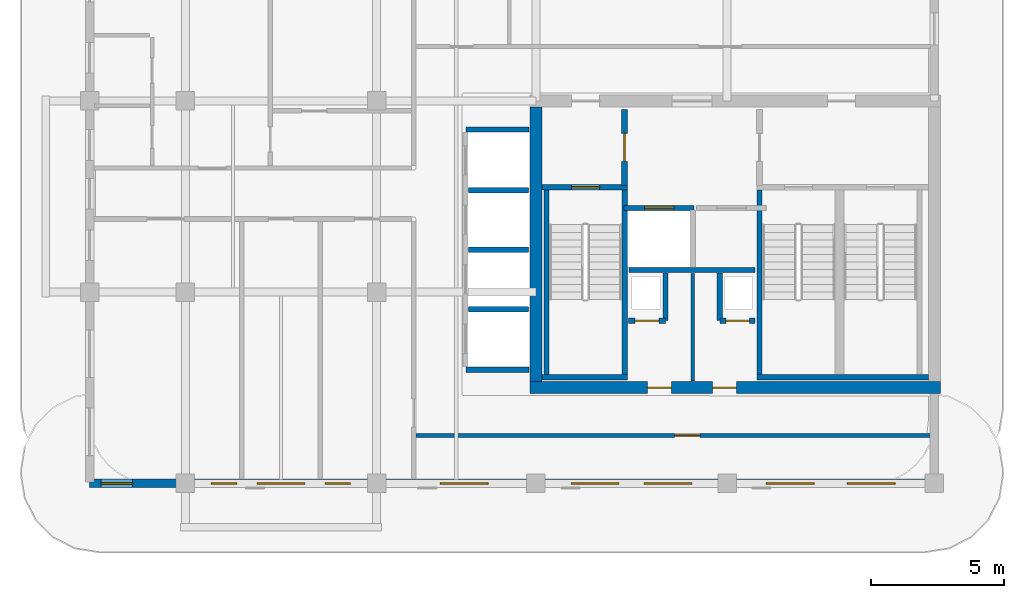
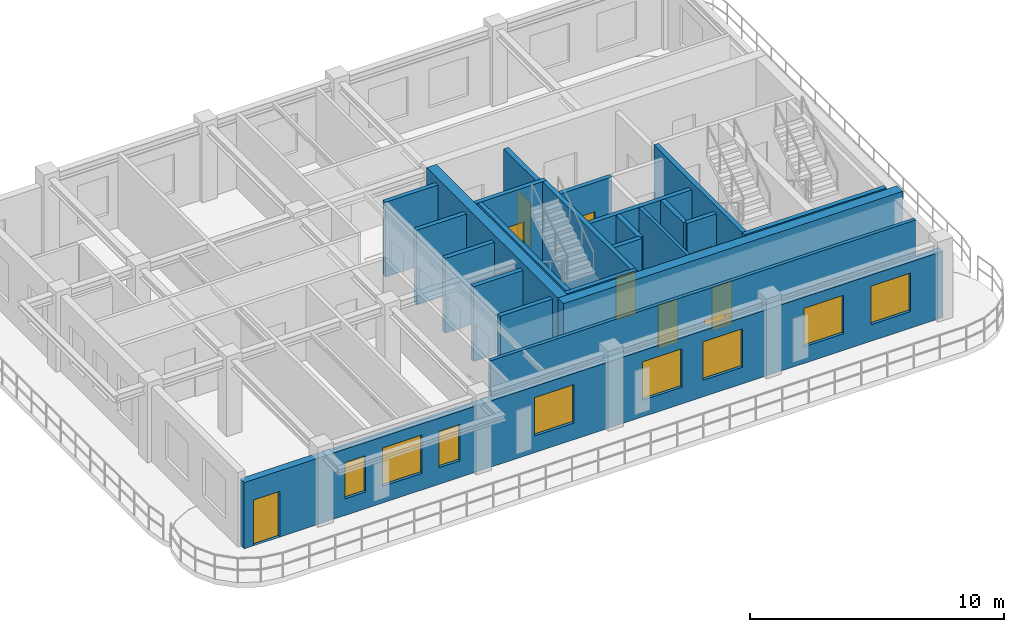
# One storey, part 3 of 7: 23 walls, 9 doors, 8 windows, 17 openings.
"""IFC4 building model written with IfcOpenShell, lengths in metres."""

from ifc_helpers import new_model, si_unit, derived_unit, direction, frame, frame_2d, origin, place, context, subcontext, project, spatial, rectangle, extrude, source, transform, mapped, material, layer, layer_set, type_object, type_shapes, element, fill, save


model = new_model("IFC4")

# Units and contexts
model_context = context("Model", 3, precision=1e-05, world=origin(), true_north=direction((0.0, 1.0)))
body_context = subcontext(model_context, "Body", "Model", "MODEL_VIEW")
ifc_project = project(units=[si_unit("LENGTHUNIT", "METRE"), si_unit("AREAUNIT", "SQUARE_METRE"), si_unit("VOLUMEUNIT", "CUBIC_METRE"), si_unit("PLANEANGLEUNIT", "RADIAN"), si_unit("MASSUNIT", "GRAM", prefix="KILO"), si_unit("THERMODYNAMICTEMPERATUREUNIT", "KELVIN"), si_unit("POWERUNIT", "WATT"), derived_unit("THERMALTRANSMITTANCEUNIT", [(si_unit("POWERUNIT", "WATT"), 1), (si_unit("AREAUNIT", "SQUARE_METRE"), -1), (si_unit("THERMODYNAMICTEMPERATUREUNIT", "KELVIN"), -1)])], contexts=[model_context])

# Site, building, storey
site_placement = place(None, origin())
site = spatial("IfcSite", under=ifc_project, at=site_placement, CompositionType="ELEMENT")
building_placement = place(site_placement, origin())
building = spatial("IfcBuilding", under=site, at=building_placement, Name="Zahravan Archway Hotel and Residences", CompositionType="ELEMENT")
storey_placement = place(building_placement, frame((0.0, 0.0, 278.89990234375)))
storey = spatial("IfcBuildingStorey", under=building, at=storey_placement, Name="L70", CompositionType="ELEMENT", Elevation=278.89990234375)

# Wall, openings, doors
ifc_material_1 = material(Name="Concrete C50/60", Category="concrete")
ifc_layer_1 = layer(ifc_material_1, 0.449951171875, Name="Concrete C50/60", Category="concrete")
ifc_layer_set_1 = layer_set([ifc_layer_1], Name="Concrete C50/60")
wall_type_1 = type_object("IfcWallType", Name="CW-CORE-450", PredefinedType="SHEAR", material=ifc_layer_set_1)
wall_1_placement = place(storey_placement, frame((34.574951171875, 3.60009765625, 0.0), z_axis=(0.0, 0.0, 1.0), x_axis=(1.0, 0.0, 0.0)))
wall_1 = element("IfcWall", 1, at=wall_1_placement, inside=storey, type_object=wall_type_1, Name="L70 Core A Shear S Wall 450 mm", PredefinedType="SHEAR", context=body_context, shape_type="SweptSolid", body=[
    extrude(rectangle(XDim=15.449951171875, YDim=0.449951171875, at=frame_2d((7.72509765625, 0.0))), origin(), (0.0, 0.0, 1.0), 3.85009765625),
])
opening_1_placement = place(wall_1_placement, frame((4.425048828125, 0.0, 0.0)))
opening_1 = element("IfcOpeningElement", 2, at=opening_1_placement, cuts=wall_1, Name="Opening FD-R1", PredefinedType="OPENING", context=body_context, shape_type="SweptSolid", body=[
    extrude(rectangle(XDim=0.89990234375, YDim=2.10009765625, at=frame_2d((0.449951171875, 1.050048828125))), frame((0.0, 0.23486328125, 0.0), z_axis=(0.0, -1.0, 0.0), x_axis=(1.0, 0.0, 0.0)), (0.0, 0.0, 1.0), 0.469970703125),
])
opening_2_placement = place(wall_1_placement, frame((6.875, 0.0, 0.0)))
opening_2 = element("IfcOpeningElement", 3, at=opening_2_placement, cuts=wall_1, Name="Opening FD-R1", PredefinedType="OPENING", context=body_context, shape_type="SweptSolid", body=[
    extrude(rectangle(XDim=0.89990234375, YDim=2.10009765625, at=frame_2d((0.449951171875, 1.050048828125))), frame((0.0, 0.23486328125, 0.0), z_axis=(0.0, -1.0, 0.0), x_axis=(1.0, 0.0, 0.0)), (0.0, 0.0, 1.0), 0.469970703125),
])
ifc_material_2 = material(Name="Fire-Rated Painted Steel", Category="steel")
door_type_1 = type_object("IfcDoorType", Name="FD-RISER-900", OperationType="NOTDEFINED", PredefinedType="DOOR", material=ifc_material_2)
shared_shape_1 = source(origin(), body_context, "Body", "SweptSolid", [
    extrude(rectangle(XDim=0.89990234375, YDim=2.10009765625, at=frame_2d((0.449951171875, 1.050048828125))), frame((0.0, 0.02490234375, 0.0), z_axis=(0.0, -1.0, 0.0), x_axis=(1.0, 0.0, 0.0)), (0.0, 0.0, 1.0), 0.050048828125),
])
type_shapes(door_type_1, [shared_shape_1])
door_1_placement = place(opening_1_placement, origin())
door_1 = element("IfcDoor", 4, at=door_1_placement, inside=storey, type_object=door_type_1, Name="L70 Electrical Switchgear Door", OperationType="SINGLE_SWING_RIGHT", OverallHeight=2.10009765625, OverallWidth=0.89990234375, PredefinedType="DOOR", context=body_context, shape_type="MappedRepresentation", body=[
    mapped(shared_shape_1, transform((0.0, 0.0, 0.0), scale=1.0)),
])
fill(opening_1, door_1)
door_2_placement = place(opening_2_placement, origin())
door_2 = element("IfcDoor", 5, at=door_2_placement, inside=storey, type_object=door_type_1, Name="L70 Telecom BMS Door", OperationType="SINGLE_SWING_LEFT", OverallHeight=2.10009765625, OverallWidth=0.89990234375, PredefinedType="DOOR", context=body_context, shape_type="MappedRepresentation", body=[
    mapped(shared_shape_1, transform((0.0, 0.0, 0.0), scale=1.0)),
])
fill(opening_2, door_2)

# Wall
wall_2_placement = place(storey_placement, frame((34.800048828125, 3.824951171875, 0.0), z_axis=(0.0, 0.0, 1.0), x_axis=(0.0, 1.0, 0.0)))
element("IfcWall", 6, at=wall_2_placement, inside=storey, type_object=wall_type_1, Name="L70 Core A Shear W Wall 450 mm", PredefinedType="SHEAR", context=body_context, shape_type="SweptSolid", body=[
    extrude(rectangle(XDim=10.35009765625, YDim=0.449951171875, at=frame_2d((5.175048828125, 0.0))), origin(), (0.0, 0.0, 1.0), 3.85009765625),
])

# Wall, openings, door, windows
ifc_material_3 = material(Name="Agra Buff Sandstone & Insulated Backup", Category="masonry")
ifc_layer_2 = layer(ifc_material_3, 0.320068359375, Name="Agra Buff Sandstone & Insulated Backup", Category="masonry")
ifc_layer_set_2 = layer_set([ifc_layer_2], Name="Agra Buff Sandstone & Insulated Backup")
wall_type_2 = type_object("IfcWallType", Name="EW-SAND-320", PredefinedType="SOLIDWALL", material=ifc_layer_set_2)
wall_3_placement = place(storey_placement, frame((18.0, 0.0, 0.0), z_axis=(0.0, 0.0, 1.0), x_axis=(1.0, 0.0, 0.0)))
wall_3 = element("IfcWall", 7, at=wall_3_placement, inside=storey, type_object=wall_type_2, Name="L70 Exterior Sandstone Wall WA-S", PredefinedType="SOLIDWALL", context=body_context, shape_type="SweptSolid", body=[
    extrude(rectangle(XDim=31.800048828125, YDim=0.320068359375, at=frame_2d((15.89990234375, 0.0))), origin(), (0.0, 0.0, 1.0), 3.18505859375),
])
opening_3_placement = place(wall_3_placement, frame((0.419921875, 0.0, 0.0)))
opening_3 = element("IfcOpeningElement", 8, at=opening_3_placement, cuts=wall_3, Name="Opening ED-BL1", PredefinedType="OPENING", context=body_context, shape_type="SweptSolid", body=[
    extrude(rectangle(XDim=1.199951171875, YDim=2.199951171875, at=frame_2d((0.60009765625, 1.10009765625))), frame((0.0, 0.169921875, 0.0), z_axis=(0.0, -1.0, 0.0), x_axis=(1.0, 0.0, 0.0)), (0.0, 0.0, 1.0), 0.340087890625),
])
opening_4_placement = place(wall_3_placement, frame((4.5810546875, 0.0, 0.800048828125)))
opening_4 = element("IfcOpeningElement", 9, at=opening_4_placement, cuts=wall_3, Name="Opening W-04", PredefinedType="OPENING", context=body_context, shape_type="SweptSolid", body=[
    extrude(rectangle(XDim=0.949951171875, YDim=1.75, at=frame_2d((0.47509765625, 0.875))), frame((0.0, 0.169921875, 0.0), z_axis=(0.0, -1.0, 0.0), x_axis=(1.0, 0.0, 0.0)), (0.0, 0.0, 1.0), 0.340087890625),
])
opening_5_placement = place(wall_3_placement, frame((6.300048828125, 0.0, 0.800048828125)))
opening_5 = element("IfcOpeningElement", 10, at=opening_5_placement, cuts=wall_3, Name="Opening W-02", PredefinedType="OPENING", context=body_context, shape_type="SweptSolid", body=[
    extrude(rectangle(XDim=1.800048828125, YDim=1.85009765625, at=frame_2d((0.89990234375, 0.925048828125))), frame((0.0, 0.169921875, 0.0), z_axis=(0.0, -1.0, 0.0), x_axis=(1.0, 0.0, 0.0)), (0.0, 0.0, 1.0), 0.340087890625),
])
opening_6_placement = place(wall_3_placement, frame((8.868896484375, 0.0, 0.800048828125)))
opening_6 = element("IfcOpeningElement", 11, at=opening_6_placement, cuts=wall_3, Name="Opening W-04", PredefinedType="OPENING", context=body_context, shape_type="SweptSolid", body=[
    extrude(rectangle(XDim=0.949951171875, YDim=1.75, at=frame_2d((0.47509765625, 0.875))), frame((0.0, 0.169921875, 0.0), z_axis=(0.0, -1.0, 0.0), x_axis=(1.0, 0.0, 0.0)), (0.0, 0.0, 1.0), 0.340087890625),
])
opening_7_placement = place(wall_3_placement, frame((13.2041015625, 0.0, 0.800048828125)))
opening_7 = element("IfcOpeningElement", 12, at=opening_7_placement, cuts=wall_3, Name="Opening W-02", PredefinedType="OPENING", context=body_context, shape_type="SweptSolid", body=[
    extrude(rectangle(XDim=1.800048828125, YDim=1.85009765625, at=frame_2d((0.89990234375, 0.925048828125))), frame((0.0, 0.169921875, 0.0), z_axis=(0.0, -1.0, 0.0), x_axis=(1.0, 0.0, 0.0)), (0.0, 0.0, 1.0), 0.340087890625),
])
opening_8_placement = place(wall_3_placement, frame((18.125, 0.0, 0.800048828125)))
opening_8 = element("IfcOpeningElement", 13, at=opening_8_placement, cuts=wall_3, Name="Opening W-02", PredefinedType="OPENING", context=body_context, shape_type="SweptSolid", body=[
    extrude(rectangle(XDim=1.800048828125, YDim=1.85009765625, at=frame_2d((0.89990234375, 0.925048828125))), frame((0.0, 0.169921875, 0.0), z_axis=(0.0, -1.0, 0.0), x_axis=(1.0, 0.0, 0.0)), (0.0, 0.0, 1.0), 0.340087890625),
])
opening_9_placement = place(wall_3_placement, frame((20.875, 0.0, 0.800048828125)))
opening_9 = element("IfcOpeningElement", 14, at=opening_9_placement, cuts=wall_3, Name="Opening W-02", PredefinedType="OPENING", context=body_context, shape_type="SweptSolid", body=[
    extrude(rectangle(XDim=1.800048828125, YDim=1.85009765625, at=frame_2d((0.89990234375, 0.925048828125))), frame((0.0, 0.169921875, 0.0), z_axis=(0.0, -1.0, 0.0), x_axis=(1.0, 0.0, 0.0)), (0.0, 0.0, 1.0), 0.340087890625),
])
opening_10_placement = place(wall_3_placement, frame((25.47509765625, 0.0, 0.800048828125)))
opening_10 = element("IfcOpeningElement", 15, at=opening_10_placement, cuts=wall_3, Name="Opening W-02", PredefinedType="OPENING", context=body_context, shape_type="SweptSolid", body=[
    extrude(rectangle(XDim=1.800048828125, YDim=1.85009765625, at=frame_2d((0.89990234375, 0.925048828125))), frame((0.0, 0.169921875, 0.0), z_axis=(0.0, -1.0, 0.0), x_axis=(1.0, 0.0, 0.0)), (0.0, 0.0, 1.0), 0.340087890625),
])
opening_11_placement = place(wall_3_placement, frame((28.52490234375, 0.0, 0.800048828125)))
opening_11 = element("IfcOpeningElement", 16, at=opening_11_placement, cuts=wall_3, Name="Opening W-02", PredefinedType="OPENING", context=body_context, shape_type="SweptSolid", body=[
    extrude(rectangle(XDim=1.800048828125, YDim=1.85009765625, at=frame_2d((0.89990234375, 0.925048828125))), frame((0.0, 0.169921875, 0.0), z_axis=(0.0, -1.0, 0.0), x_axis=(1.0, 0.0, 0.0)), (0.0, 0.0, 1.0), 0.340087890625),
])
ifc_material_4 = material(Name="Bronze-Anodized Glazed Aluminium", Category="aluminium")
door_type_2 = type_object("IfcDoorType", Name="ED-BALC-1200", OperationType="SLIDING_TO_LEFT", PredefinedType="DOOR", material=ifc_material_4)
shared_shape_2 = source(origin(), body_context, "Body", "SweptSolid", [
    extrude(rectangle(XDim=1.199951171875, YDim=2.199951171875, at=frame_2d((0.60009765625, 1.10009765625))), frame((0.0, 0.02490234375, 0.0), z_axis=(0.0, -1.0, 0.0), x_axis=(1.0, 0.0, 0.0)), (0.0, 0.0, 1.0), 0.050048828125),
])
type_shapes(door_type_2, [shared_shape_2])
door_3_placement = place(opening_3_placement, origin())
door_3 = element("IfcDoor", 17, at=door_3_placement, inside=storey, type_object=door_type_2, Name="L70 Outdoor Access Sliding Door (SLB-BAL-L70-SA)", OperationType="SLIDING_TO_LEFT", OverallHeight=2.199951171875, OverallWidth=1.199951171875, PredefinedType="DOOR", context=body_context, shape_type="MappedRepresentation", body=[
    mapped(shared_shape_2, transform((0.0, 0.0, 0.0), scale=1.0)),
])
fill(opening_3, door_3)
ifc_material_5 = material(Name="Bronze-Anodized Thermal-Break Aluminium & Low-E Glass", Category="aluminium")
window_type_1 = type_object("IfcWindowType", Name="WIN-NAR-950", PartitioningType="SINGLE_PANEL", PredefinedType="WINDOW", material=ifc_material_5)
shared_shape_3 = source(origin(), body_context, "Body", "SweptSolid", [
    extrude(rectangle(XDim=0.949951171875, YDim=1.75, at=frame_2d((0.47509765625, 0.875))), frame((0.0, 0.030029296875, 0.0), z_axis=(0.0, -1.0, 0.0), x_axis=(1.0, 0.0, 0.0)), (0.0, 0.0, 1.0), 0.06005859375),
])
type_shapes(window_type_1, [shared_shape_3])
window_1_placement = place(opening_4_placement, origin())
window_1 = element("IfcWindow", 18, at=window_1_placement, inside=storey, type_object=window_type_1, Name="L70 Loggia Window 01", OverallHeight=1.75, OverallWidth=0.949951171875, PartitioningType="SINGLE_PANEL", PredefinedType="WINDOW", context=body_context, shape_type="MappedRepresentation", body=[
    mapped(shared_shape_3, transform((0.0, 0.0, 0.0), scale=1.0)),
])
fill(opening_4, window_1)
window_2_placement = place(opening_6_placement, origin())
window_2 = element("IfcWindow", 19, at=window_2_placement, inside=storey, type_object=window_type_1, Name="L70 Loggia Window 03", OverallHeight=1.75, OverallWidth=0.949951171875, PartitioningType="SINGLE_PANEL", PredefinedType="WINDOW", context=body_context, shape_type="MappedRepresentation", body=[
    mapped(shared_shape_3, transform((0.0, 0.0, 0.0), scale=1.0)),
])
fill(opening_6, window_2)
window_type_2 = type_object("IfcWindowType", Name="WIN-TWR-1800", PartitioningType="DOUBLE_PANEL_VERTICAL", PredefinedType="WINDOW", material=ifc_material_5)
shared_shape_4 = source(origin(), body_context, "Body", "SweptSolid", [
    extrude(rectangle(XDim=1.800048828125, YDim=1.85009765625, at=frame_2d((0.89990234375, 0.925048828125))), frame((0.0, 0.030029296875, 0.0), z_axis=(0.0, -1.0, 0.0), x_axis=(1.0, 0.0, 0.0)), (0.0, 0.0, 1.0), 0.06005859375),
])
type_shapes(window_type_2, [shared_shape_4])
window_3_placement = place(opening_5_placement, origin())
window_3 = element("IfcWindow", 20, at=window_3_placement, inside=storey, type_object=window_type_2, Name="L70 Loggia Window 02", OverallHeight=1.85009765625, OverallWidth=1.800048828125, PartitioningType="DOUBLE_PANEL_VERTICAL", PredefinedType="WINDOW", context=body_context, shape_type="MappedRepresentation", body=[
    mapped(shared_shape_4, transform((0.0, 0.0, 0.0), scale=1.0)),
])
fill(opening_5, window_3)
window_4_placement = place(opening_7_placement, origin())
window_4 = element("IfcWindow", 21, at=window_4_placement, inside=storey, type_object=window_type_2, Name="L70 Loggia Window 04", OverallHeight=1.85009765625, OverallWidth=1.800048828125, PartitioningType="DOUBLE_PANEL_VERTICAL", PredefinedType="WINDOW", context=body_context, shape_type="MappedRepresentation", body=[
    mapped(shared_shape_4, transform((0.0, 0.0, 0.0), scale=1.0)),
])
fill(opening_7, window_4)
window_5_placement = place(opening_8_placement, origin())
window_5 = element("IfcWindow", 22, at=window_5_placement, inside=storey, type_object=window_type_2, Name="L70 Loggia Window 05", OverallHeight=1.85009765625, OverallWidth=1.800048828125, PartitioningType="DOUBLE_PANEL_VERTICAL", PredefinedType="WINDOW", context=body_context, shape_type="MappedRepresentation", body=[
    mapped(shared_shape_4, transform((0.0, 0.0, 0.0), scale=1.0)),
])
fill(opening_8, window_5)
window_6_placement = place(opening_9_placement, origin())
window_6 = element("IfcWindow", 23, at=window_6_placement, inside=storey, type_object=window_type_2, Name="L70 Loggia Window 06", OverallHeight=1.85009765625, OverallWidth=1.800048828125, PartitioningType="DOUBLE_PANEL_VERTICAL", PredefinedType="WINDOW", context=body_context, shape_type="MappedRepresentation", body=[
    mapped(shared_shape_4, transform((0.0, 0.0, 0.0), scale=1.0)),
])
fill(opening_9, window_6)
window_7_placement = place(opening_10_placement, origin())
window_7 = element("IfcWindow", 24, at=window_7_placement, inside=storey, type_object=window_type_2, Name="L70 Loggia Window 07", OverallHeight=1.85009765625, OverallWidth=1.800048828125, PartitioningType="DOUBLE_PANEL_VERTICAL", PredefinedType="WINDOW", context=body_context, shape_type="MappedRepresentation", body=[
    mapped(shared_shape_4, transform((0.0, 0.0, 0.0), scale=1.0)),
])
fill(opening_10, window_7)
window_8_placement = place(opening_11_placement, origin())
window_8 = element("IfcWindow", 25, at=window_8_placement, inside=storey, type_object=window_type_2, Name="L70 Loggia Window 08", OverallHeight=1.85009765625, OverallWidth=1.800048828125, PartitioningType="DOUBLE_PANEL_VERTICAL", PredefinedType="WINDOW", context=body_context, shape_type="MappedRepresentation", body=[
    mapped(shared_shape_4, transform((0.0, 0.0, 0.0), scale=1.0)),
])
fill(opening_11, window_8)

# Wall, opening, door
ifc_material_6 = material(Name="Fire-Rated Gypsum & Concrete Block", Category="concrete")
ifc_layer_3 = layer(ifc_material_6, 0.219970703125, Name="Fire-Rated Gypsum & Concrete Block", Category="concrete")
ifc_layer_set_3 = layer_set([ifc_layer_3], Name="Fire-Rated Gypsum & Concrete Block")
wall_type_3 = type_object("IfcWallType", Name="PW-COMP-220", PredefinedType="PARTITIONING", material=ifc_layer_set_3)
wall_4_placement = place(storey_placement, frame((38.139892578125, 11.219970703125, 0.0), z_axis=(0.0, 0.0, 1.0), x_axis=(0.0, 1.0, 0.0)))
wall_4 = element("IfcWall", 26, at=wall_4_placement, inside=storey, type_object=wall_type_3, Name="L70 Partition CA-LOBW", PredefinedType="PARTITIONING", context=body_context, shape_type="SweptSolid", body=[
    extrude(rectangle(XDim=2.860107421875, YDim=0.219970703125, at=frame_2d((1.43017578125, 0.0))), origin(), (0.0, 0.0, 1.0), 3.60009765625),
])
opening_12_placement = place(wall_4_placement, frame((0.905029296875, 0.0, 0.0)))
opening_12 = element("IfcOpeningElement", 27, at=opening_12_placement, cuts=wall_4, Name="Opening FD-L2", PredefinedType="OPENING", context=body_context, shape_type="SweptSolid", body=[
    extrude(rectangle(XDim=1.050048828125, YDim=2.14990234375, at=frame_2d((0.52490234375, 1.074951171875))), frame((0.0, 0.1201171875, 0.0), z_axis=(0.0, -1.0, 0.0), x_axis=(1.0, 0.0, 0.0)), (0.0, 0.0, 1.0), 0.239990234375),
])
door_type_3 = type_object("IfcDoorType", Name="FD-LOBBY-1100", OperationType="NOTDEFINED", PredefinedType="DOOR", material=ifc_material_2)
shared_shape_5 = source(origin(), body_context, "Body", "SweptSolid", [
    extrude(rectangle(XDim=1.050048828125, YDim=2.14990234375, at=frame_2d((0.52490234375, 1.074951171875))), frame((0.0, 0.02490234375, 0.0), z_axis=(0.0, -1.0, 0.0), x_axis=(1.0, 0.0, 0.0)), (0.0, 0.0, 1.0), 0.050048828125),
])
type_shapes(door_type_3, [shared_shape_5])
door_4_placement = place(opening_12_placement, origin())
door_4 = element("IfcDoor", 28, at=door_4_placement, inside=storey, type_object=door_type_3, Name="L70 Core A West Stair to FSAE Lobby Door", OperationType="SINGLE_SWING_RIGHT", OverallHeight=2.14990234375, OverallWidth=1.050048828125, PredefinedType="DOOR", context=body_context, shape_type="MappedRepresentation", body=[
    mapped(shared_shape_5, transform((0.0, 0.0, 0.0), scale=1.0)),
])
fill(opening_12, door_4)

ifc_layer_4 = layer(ifc_material_6, 0.159912109375, Name="Fire-Rated Gypsum & Concrete Block", Category="concrete")
ifc_layer_set_4 = layer_set([ifc_layer_4], Name="Fire-Rated Gypsum & Concrete Block")
wall_type_4 = type_object("IfcWallType", Name="PW-CORR-160", PredefinedType="PARTITIONING", material=ifc_layer_set_4)
wall_5_placement = place(storey_placement, frame((30.2900390625, 1.800048828125, 0.0), z_axis=(0.0, 0.0, 1.0), x_axis=(1.0, 0.0, 0.0)))
wall_5 = element("IfcWall", 29, at=wall_5_placement, inside=storey, type_object=wall_type_4, Name="L70 Partition WA-SRS", PredefinedType="PARTITIONING", context=body_context, shape_type="SweptSolid", body=[
    extrude(rectangle(XDim=19.369873046875, YDim=0.159912109375, at=frame_2d((9.68505859375, 0.0))), origin(), (0.0, 0.0, 1.0), 3.60009765625),
])
opening_13_placement = place(wall_5_placement, frame((9.735107421875, 0.0, 0.0)))
opening_13 = element("IfcOpeningElement", 30, at=opening_13_placement, cuts=wall_5, Name="Opening D-I1", PredefinedType="OPENING", context=body_context, shape_type="SweptSolid", body=[
    extrude(rectangle(XDim=0.949951171875, YDim=2.14990234375, at=frame_2d((0.47509765625, 1.074951171875))), frame((0.0, 0.08984375, 0.0), z_axis=(0.0, -1.0, 0.0), x_axis=(1.0, 0.0, 0.0)), (0.0, 0.0, 1.0), 0.179931640625),
])
ifc_material_7 = material(Name="Hardwood Veneer Timber", Category="wood")
door_type_4 = type_object("IfcDoorType", Name="ID-INT-950", OperationType="NOTDEFINED", PredefinedType="DOOR", material=ifc_material_7)
shared_shape_6 = source(origin(), body_context, "Body", "SweptSolid", [
    extrude(rectangle(XDim=0.949951171875, YDim=2.14990234375, at=frame_2d((0.47509765625, 1.074951171875))), frame((0.0, 0.02490234375, 0.0), z_axis=(0.0, -1.0, 0.0), x_axis=(1.0, 0.0, 0.0)), (0.0, 0.0, 1.0), 0.050048828125),
])
type_shapes(door_type_4, [shared_shape_6])
door_5_placement = place(opening_13_placement, origin())
door_5 = element("IfcDoor", 31, at=door_5_placement, inside=storey, type_object=door_type_4, Name="L70 South Viewing Lounge Door", OperationType="SINGLE_SWING_LEFT", OverallHeight=2.14990234375, OverallWidth=0.949951171875, PredefinedType="DOOR", context=body_context, shape_type="MappedRepresentation", body=[
    mapped(shared_shape_6, transform((0.0, 0.0, 0.0), scale=1.0)),
])
fill(opening_13, door_5)

# Wall
ifc_layer_5 = layer(ifc_material_6, 0.199951171875, Name="Fire-Rated Gypsum & Concrete Block", Category="concrete")
ifc_layer_set_5 = layer_set([ifc_layer_5], Name="Fire-Rated Gypsum & Concrete Block")
wall_type_5 = type_object("IfcWallType", Name="PW-SHAFT-200", PredefinedType="PARTITIONING", material=ifc_layer_set_5)
wall_6_placement = place(storey_placement, frame((38.300048828125, 8.030029296875, 0.0), z_axis=(0.0, 0.0, 1.0), x_axis=(1.0, 0.0, 0.0)))
element("IfcWall", 32, at=wall_6_placement, inside=storey, type_object=wall_type_5, Name="L70 Partition CA-FLS", PredefinedType="PARTITIONING", context=body_context, shape_type="SweptSolid", body=[
    extrude(rectangle(XDim=4.739990234375, YDim=0.199951171875, at=frame_2d((2.3701171875, 0.0))), origin(), (0.0, 0.0, 1.0), 3.60009765625),
])

# Wall, opening, door
wall_7_placement = place(storey_placement, frame((38.2900390625, 6.1201171875, 0.0), z_axis=(0.0, 0.0, 1.0), x_axis=(1.0, 0.0, 0.0)))
wall_7 = element("IfcWall", 33, at=wall_7_placement, inside=storey, type_object=wall_type_5, Name="L70 Partition CA-SMKS", PredefinedType="PARTITIONING", context=body_context, shape_type="SweptSolid", body=[
    extrude(rectangle(XDim=1.3798828125, YDim=0.199951171875, at=frame_2d((0.68994140625, 0.0))), origin(), (0.0, 0.0, 1.0), 3.60009765625),
])
opening_14_placement = place(wall_7_placement, frame((0.239990234375, 0.0, 0.0)))
opening_14 = element("IfcOpeningElement", 34, at=opening_14_placement, cuts=wall_7, Name="Opening FD-R1", PredefinedType="OPENING", context=body_context, shape_type="SweptSolid", body=[
    extrude(rectangle(XDim=0.89990234375, YDim=2.10009765625, at=frame_2d((0.449951171875, 1.050048828125))), frame((0.0, 0.10986328125, 0.0), z_axis=(0.0, -1.0, 0.0), x_axis=(1.0, 0.0, 0.0)), (0.0, 0.0, 1.0), 0.219970703125),
])
door_6_placement = place(opening_14_placement, origin())
door_6 = element("IfcDoor", 35, at=door_6_placement, inside=storey, type_object=door_type_1, Name="L70 Smoke Riser Access Door", OperationType="SINGLE_SWING_RIGHT", OverallHeight=2.10009765625, OverallWidth=0.89990234375, PredefinedType="DOOR", context=body_context, shape_type="MappedRepresentation", body=[
    mapped(shared_shape_1, transform((0.0, 0.0, 0.0), scale=1.0)),
])
fill(opening_14, door_6)

# Wall
wall_8_placement = place(storey_placement, frame((39.679931640625, 6.1298828125, 0.0), z_axis=(0.0, 0.0, 1.0), x_axis=(0.0, 1.0, 0.0)))
element("IfcWall", 36, at=wall_8_placement, inside=storey, type_object=wall_type_5, Name="L70 Partition CA-SMKE", PredefinedType="PARTITIONING", context=body_context, shape_type="SweptSolid", body=[
    extrude(rectangle(XDim=1.7900390625, YDim=0.199951171875, at=frame_2d((0.89501953125, 0.0))), origin(), (0.0, 0.0, 1.0), 3.60009765625),
])

# Wall, opening, door
wall_9_placement = place(storey_placement, frame((41.72998046875, 6.1201171875, 0.0), z_axis=(0.0, 0.0, 1.0), x_axis=(1.0, 0.0, 0.0)))
wall_9 = element("IfcWall", 37, at=wall_9_placement, inside=storey, type_object=wall_type_5, Name="L70 Partition CA-MEPS", PredefinedType="PARTITIONING", context=body_context, shape_type="SweptSolid", body=[
    extrude(rectangle(XDim=1.320068359375, YDim=0.199951171875, at=frame_2d((0.66015625, 0.0))), origin(), (0.0, 0.0, 1.0), 3.60009765625),
])
opening_15_placement = place(wall_9_placement, frame((0.219970703125, 0.0, 0.0)))
opening_15 = element("IfcOpeningElement", 38, at=opening_15_placement, cuts=wall_9, Name="Opening FD-R1", PredefinedType="OPENING", context=body_context, shape_type="SweptSolid", body=[
    extrude(rectangle(XDim=0.89990234375, YDim=2.10009765625, at=frame_2d((0.449951171875, 1.050048828125))), frame((0.0, 0.10986328125, 0.0), z_axis=(0.0, -1.0, 0.0), x_axis=(1.0, 0.0, 0.0)), (0.0, 0.0, 1.0), 0.219970703125),
])
door_7_placement = place(opening_15_placement, origin())
door_7 = element("IfcDoor", 39, at=door_7_placement, inside=storey, type_object=door_type_1, Name="L70 MEP Riser Access Door", OperationType="SINGLE_SWING_LEFT", OverallHeight=2.10009765625, OverallWidth=0.89990234375, PredefinedType="DOOR", context=body_context, shape_type="MappedRepresentation", body=[
    mapped(shared_shape_1, transform((0.0, 0.0, 0.0), scale=1.0)),
])
fill(opening_15, door_7)

# Walls
wall_10_placement = place(storey_placement, frame((41.719970703125, 6.1298828125, 0.0), z_axis=(0.0, 0.0, 1.0), x_axis=(0.0, 1.0, 0.0)))
element("IfcWall", 40, at=wall_10_placement, inside=storey, type_object=wall_type_5, Name="L70 Partition CA-MEPW", PredefinedType="PARTITIONING", context=body_context, shape_type="SweptSolid", body=[
    extrude(rectangle(XDim=1.7900390625, YDim=0.199951171875, at=frame_2d((0.89501953125, 0.0))), origin(), (0.0, 0.0, 1.0), 3.60009765625),
])
for number, where, z_axis, x_axis, name in (
    (41, (32.159912109375, 4.280029296875, 0.0), (0.0, 0.0, 1.0), (1.0, 0.0, 0.0), "L70 Partition B3-S"),
    (42, (32.159912109375, 13.320068359375, 0.0), (0.0, 0.0, 1.0), (1.0, 0.0, 0.0), "L70 Partition B3-N"),
):
    element("IfcWall", number, at=place(storey_placement, frame(where, z_axis=z_axis, x_axis=x_axis)), inside=storey, type_object=wall_type_5, Name=name, PredefinedType="PARTITIONING", context=body_context, shape_type="SweptSolid", body=[
        extrude(rectangle(XDim=2.385009765625, YDim=0.199951171875, at=frame_2d((1.1923828125, 0.0))), origin(), (0.0, 0.0, 1.0), 3.60009765625),
    ])
for number, where, z_axis, x_axis, name in (
    (43, (32.260009765625, 6.56005859375, 0.0), (0.0, 0.0, 1.0), (1.0, 0.0, 0.0), "L70 Partition B3-D"),
    (44, (32.260009765625, 8.800048828125, 0.0), (0.0, 0.0, 1.0), (1.0, 0.0, 0.0), "L70 Partition B3-D"),
    (45, (32.260009765625, 11.0400390625, 0.0), (0.0, 0.0, 1.0), (1.0, 0.0, 0.0), "L70 Partition B3-D"),
):
    element("IfcWall", number, at=place(storey_placement, frame(where, z_axis=z_axis, x_axis=x_axis)), inside=storey, type_object=wall_type_5, Name=name, PredefinedType="PARTITIONING", context=body_context, shape_type="SweptSolid", body=[
        extrude(rectangle(XDim=2.2548828125, YDim=0.199951171875, at=frame_2d((1.12744140625, 0.0))), origin(), (0.0, 0.0, 1.0), 3.60009765625),
    ])

# Wall, opening, door
wall_11_placement = place(storey_placement, frame((38.1201171875, 10.3701171875, 0.0), z_axis=(0.0, 0.0, 1.0), x_axis=(1.0, 0.0, 0.0)))
wall_11 = element("IfcWall", 46, at=wall_11_placement, inside=storey, type_object=wall_type_5, Name="L70 Lift FL-1 Front Wall", PredefinedType="PARTITIONING", context=body_context, shape_type="SweptSolid", body=[
    extrude(rectangle(XDim=2.639892578125, YDim=0.199951171875, at=frame_2d((1.31982421875, 0.0))), origin(), (0.0, 0.0, 1.0), 3.60009765625),
])
opening_16_placement = place(wall_11_placement, frame((0.77001953125, 0.0, 0.0)))
opening_16 = element("IfcOpeningElement", 47, at=opening_16_placement, cuts=wall_11, Name="Opening LD", PredefinedType="OPENING", context=body_context, shape_type="SweptSolid", body=[
    extrude(rectangle(XDim=1.10009765625, YDim=2.199951171875, at=frame_2d((0.550048828125, 1.10009765625))), frame((0.0, 0.10986328125, 0.0), z_axis=(0.0, -1.0, 0.0), x_axis=(1.0, 0.0, 0.0)), (0.0, 0.0, 1.0), 0.219970703125),
])
ifc_material_8 = material(Name="Brushed Stainless Steel", Category="steel")
door_type_5 = type_object("IfcDoorType", Name="DR-LIFT-LD", OperationType="SLIDING_TO_LEFT", PredefinedType="DOOR", material=ifc_material_8)
shared_shape_7 = source(origin(), body_context, "Body", "SweptSolid", [
    extrude(rectangle(XDim=1.10009765625, YDim=2.199951171875, at=frame_2d((0.550048828125, 1.10009765625))), frame((0.0, 0.02490234375, 0.0), z_axis=(0.0, -1.0, 0.0), x_axis=(1.0, 0.0, 0.0)), (0.0, 0.0, 1.0), 0.050048828125),
])
type_shapes(door_type_5, [shared_shape_7])
door_8_placement = place(opening_16_placement, origin())
door_8 = element("IfcDoor", 48, at=door_8_placement, inside=storey, type_object=door_type_5, Name="L70 Lift FL-1 Sliding Landing Door", OperationType="SLIDING_TO_LEFT", OverallHeight=2.199951171875, OverallWidth=1.10009765625, PredefinedType="DOOR", context=body_context, shape_type="MappedRepresentation", body=[
    mapped(shared_shape_7, transform((0.0, 0.0, 0.0), scale=1.0)),
])
fill(opening_16, door_8)

# Walls
ifc_material_9 = material(Name="Moisture-Resistant Blockwork", Category="masonry")
ifc_layer_6 = layer(ifc_material_9, 0.139892578125, Name="Moisture-Resistant Blockwork", Category="masonry")
ifc_layer_set_6 = layer_set([ifc_layer_6], Name="Moisture-Resistant Blockwork")
wall_type_6 = type_object("IfcWallType", Name="PW-WET-140", PredefinedType="PARTITIONING", material=ifc_layer_set_6)
wall_12_placement = place(storey_placement, frame((40.699951171875, 3.844970703125, 0.0), z_axis=(0.0, 0.0, 1.0), x_axis=(0.0, 1.0, 0.0)))
element("IfcWall", 49, at=wall_12_placement, inside=storey, type_object=wall_type_6, Name="L70 Partition CA-CV0", PredefinedType="PARTITIONING", context=body_context, shape_type="SweptSolid", body=[
    extrude(rectangle(XDim=4.06494140625, YDim=0.139892578125, at=frame_2d((2.032470703125, 0.0))), origin(), (0.0, 0.0, 1.0), 3.60009765625),
])
ifc_layer_7 = layer(ifc_material_1, 0.199951171875, Name="Concrete C50/60", Category="concrete")
ifc_layer_set_7 = layer_set([ifc_layer_7], Name="Concrete C50/60")
wall_type_7 = type_object("IfcWallType", Name="SW-STAIR-200", PredefinedType="SHEAR", material=ifc_layer_set_7)
wall_13_placement = place(storey_placement, frame((35.02490234375, 4.0, 0.0), z_axis=(0.0, 0.0, 1.0), x_axis=(1.0, 0.0, 0.0)))
element("IfcWall", 50, at=wall_13_placement, inside=storey, type_object=wall_type_7, Name="L70 Stairwell RC Wall CA-SA1S", PredefinedType="SHEAR", context=body_context, shape_type="SweptSolid", body=[
    extrude(rectangle(XDim=3.215087890625, YDim=0.199951171875, at=frame_2d((1.607421875, 0.0))), origin(), (0.0, 0.0, 1.0), 3.85009765625),
])
for number, where, z_axis, x_axis, name in (
    (51, (35.199951171875, 4.10009765625, 0.0), (0.0, 0.0, 1.0), (0.0, 1.0, 0.0), "L70 Stairwell RC Wall CA-SA1W"),
    (52, (38.139892578125, 4.10009765625, 0.0), (0.0, 0.0, 1.0), (0.0, 1.0, 0.0), "L70 Stairwell RC Wall CA-SA1E"),
):
    element("IfcWall", number, at=place(storey_placement, frame(where, z_axis=z_axis, x_axis=x_axis)), inside=storey, type_object=wall_type_7, Name=name, PredefinedType="SHEAR", context=body_context, shape_type="SweptSolid", body=[
        extrude(rectangle(XDim=6.949951171875, YDim=0.199951171875, at=frame_2d((3.47509765625, 0.0))), origin(), (0.0, 0.0, 1.0), 3.85009765625),
    ])

# Wall, opening, door
wall_14_placement = place(storey_placement, frame((35.02490234375, 11.14990234375, 0.0), z_axis=(0.0, 0.0, 1.0), x_axis=(1.0, 0.0, 0.0)))
wall_14 = element("IfcWall", 53, at=wall_14_placement, inside=storey, type_object=wall_type_7, Name="L70 Stairwell RC Wall CA-SA1N", PredefinedType="SHEAR", context=body_context, shape_type="SweptSolid", body=[
    extrude(rectangle(XDim=3.215087890625, YDim=0.199951171875, at=frame_2d((1.607421875, 0.0))), origin(), (0.0, 0.0, 1.0), 3.85009765625),
])
opening_17_placement = place(wall_14_placement, frame((1.1201171875, 0.0, 0.0)))
opening_17 = element("IfcOpeningElement", 54, at=opening_17_placement, cuts=wall_14, Name="Opening FD-S1", PredefinedType="OPENING", context=body_context, shape_type="SweptSolid", body=[
    extrude(rectangle(XDim=1.050048828125, YDim=2.199951171875, at=frame_2d((0.52490234375, 1.10009765625))), frame((0.0, 0.10986328125, 0.0), z_axis=(0.0, -1.0, 0.0), x_axis=(1.0, 0.0, 0.0)), (0.0, 0.0, 1.0), 0.219970703125),
])
door_type_6 = type_object("IfcDoorType", Name="FD-STAIR-1100", OperationType="NOTDEFINED", PredefinedType="DOOR", material=ifc_material_2)
shared_shape_8 = source(origin(), body_context, "Body", "SweptSolid", [
    extrude(rectangle(XDim=1.050048828125, YDim=2.199951171875, at=frame_2d((0.52490234375, 1.10009765625))), frame((0.0, 0.02490234375, 0.0), z_axis=(0.0, -1.0, 0.0), x_axis=(1.0, 0.0, 0.0)), (0.0, 0.0, 1.0), 0.050048828125),
])
type_shapes(door_type_6, [shared_shape_8])
door_9_placement = place(opening_17_placement, origin())
door_9 = element("IfcDoor", 55, at=door_9_placement, inside=storey, type_object=door_type_6, Name="L70 Stair ST-A1 Door", OperationType="SINGLE_SWING_LEFT", OverallHeight=2.199951171875, OverallWidth=1.050048828125, PredefinedType="DOOR", context=body_context, shape_type="MappedRepresentation", body=[
    mapped(shared_shape_8, transform((0.0, 0.0, 0.0), scale=1.0)),
])
fill(opening_17, door_9)

# Walls
wall_15_placement = place(storey_placement, frame((43.1201171875, 4.0, 0.0), z_axis=(0.0, 0.0, 1.0), x_axis=(1.0, 0.0, 0.0)))
element("IfcWall", 56, at=wall_15_placement, inside=storey, type_object=wall_type_7, Name="L70 Stairwell RC Wall CA-SA23S", PredefinedType="SHEAR", context=body_context, shape_type="SweptSolid", body=[
    extrude(rectangle(XDim=6.454833984375, YDim=0.199951171875, at=frame_2d((3.2275390625, 0.0))), origin(), (0.0, 0.0, 1.0), 3.85009765625),
])
wall_16_placement = place(storey_placement, frame((43.219970703125, 4.10009765625, 0.0), z_axis=(0.0, 0.0, 1.0), x_axis=(0.0, 1.0, 0.0)))
element("IfcWall", 57, at=wall_16_placement, inside=storey, type_object=wall_type_7, Name="L70 Stairwell RC Wall CA-SA2W", PredefinedType="SHEAR", context=body_context, shape_type="SweptSolid", body=[
    extrude(rectangle(XDim=6.949951171875, YDim=0.199951171875, at=frame_2d((3.47509765625, 0.0))), origin(), (0.0, 0.0, 1.0), 3.85009765625),
])

save(model, "model.ifc")
